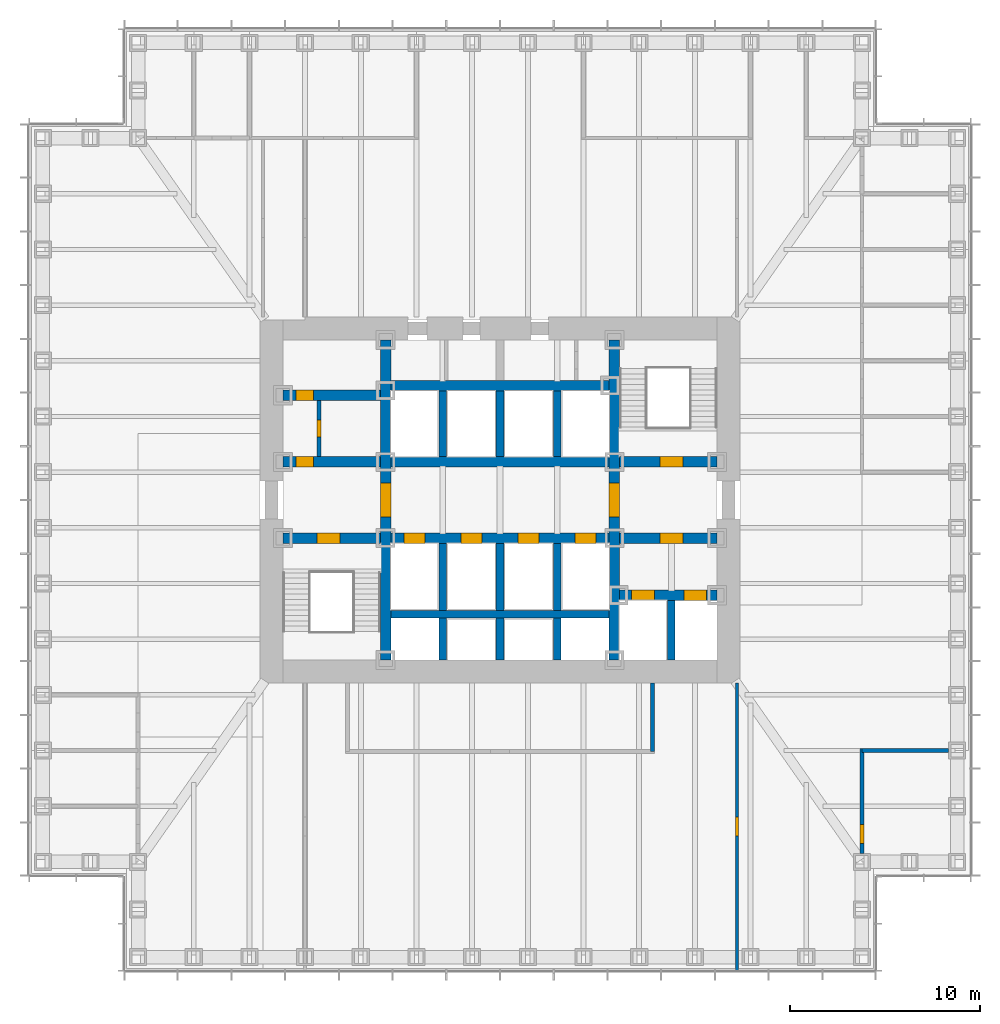
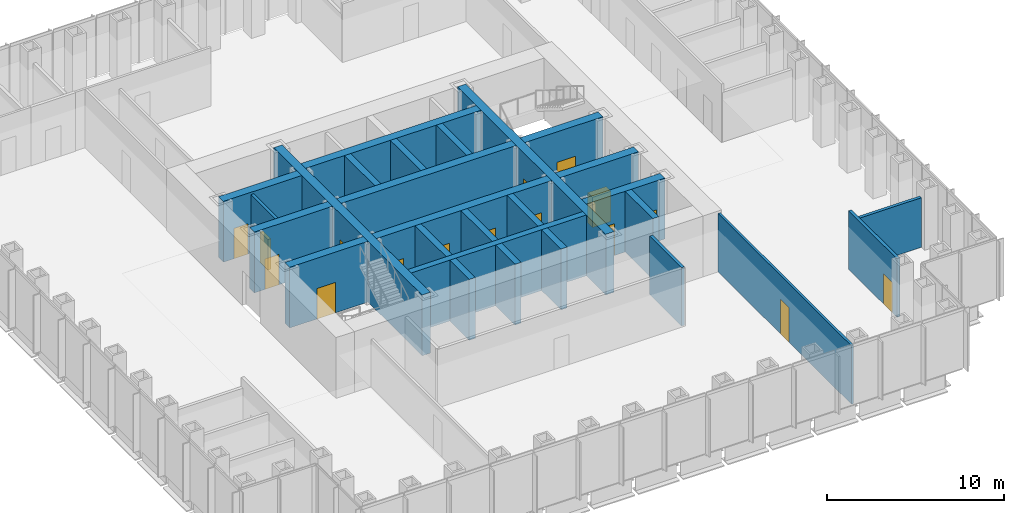
# One storey, part 9 of 17: 27 walls, 16 doors, 16 openings.
"""IFC4 building model written with IfcOpenShell, lengths in metres."""

from ifc_helpers import new_model, si_unit, direction, frame, frame_2d, origin, place, context, subcontext, project, spatial, rectangle, extrude, material, layer, layer_set, type_object, element, fill, save


model = new_model("IFC4")

# Units and contexts
model_context = context("Model", 3, precision=1e-05, world=origin(), true_north=direction((0.0, 1.0)))
body_context = subcontext(model_context, "Body", "Model", "MODEL_VIEW")
ifc_project = project(units=[si_unit("LENGTHUNIT", "METRE"), si_unit("AREAUNIT", "SQUARE_METRE"), si_unit("VOLUMEUNIT", "CUBIC_METRE"), si_unit("PLANEANGLEUNIT", "RADIAN"), si_unit("MASSUNIT", "GRAM", prefix="KILO")], contexts=[model_context])

# Site, building, storey
site_placement = place(None, origin())
site = spatial("IfcSite", under=ifc_project, at=site_placement, CompositionType="ELEMENT")
building_placement = place(site_placement, origin())
building = spatial("IfcBuilding", under=site, at=building_placement, Name="Daluyong Arena Tower", CompositionType="ELEMENT")
storey_placement = place(building_placement, frame((0.0, 0.0, 55.89990234375)))
storey = spatial("IfcBuildingStorey", under=building, at=storey_placement, Name="L11", CompositionType="ELEMENT", Elevation=55.89990234375)

# Wall, opening, door
ifc_material_1 = material(Name="Concrete fc' 45 MPa", Category="concrete")
ifc_layer_1 = layer(ifc_material_1, 0.550048828125)
ifc_layer_set_1 = layer_set([ifc_layer_1], Name="Concrete fc' 45 MPa")
wall_type_1 = type_object("IfcWallType", Name="Core inner wall 550", PredefinedType="SHEAR", material=ifc_layer_set_1)
wall_1_placement = place(storey_placement, frame((50.0, 71.60009765625, 0.0), z_axis=(0.0, 0.0, 1.0), x_axis=(0.0, 1.0, 0.0)))
wall_1 = element("IfcWall", 1, at=wall_1_placement, inside=storey, type_object=wall_type_1, Name="core inner wall at L11", PredefinedType="SHEAR", context=body_context, shape_type="SweptSolid", body=[
    extrude(rectangle(XDim=16.7998046875, YDim=0.550048828125, at=frame_2d((8.39990234375, 0.0))), origin(), (0.0, 0.0, 1.0), 4.2001953125),
])
opening_1_placement = place(wall_1_placement, frame((7.5, 0.0, 0.0)))
opening_1 = element("IfcOpeningElement", 2, at=opening_1_placement, cuts=wall_1, Name="Opening 11012", PredefinedType="OPENING", context=body_context, shape_type="SweptSolid", body=[
    extrude(rectangle(XDim=1.800048828125, YDim=2.39990234375, at=frame_2d((0.89990234375, 1.199951171875))), frame((0.0, 0.284912109375, 0.0), z_axis=(0.0, -1.0, 0.0), x_axis=(1.0, 0.0, 0.0)), (0.0, 0.0, 1.0), 0.570068359375),
])
ifc_material_2 = material(Name="Steel door, fire rated", Category="steel")
door_type_1 = type_object("IfcDoorType", Name="Lift lobby opening door 1800", OperationType="DOUBLE_DOOR_SINGLE_SWING", PredefinedType="DOOR", material=ifc_material_2)
door_1_placement = place(opening_1_placement, origin())
door_1 = element("IfcDoor", 3, at=door_1_placement, inside=storey, type_object=door_type_1, Name="lift lobby door west 11012", OperationType="DOUBLE_DOOR_SINGLE_SWING", OverallHeight=2.39990234375, OverallWidth=1.800048828125, PredefinedType="DOOR", context=body_context, shape_type="SweptSolid", body=[
    extrude(rectangle(XDim=1.800048828125, YDim=2.39990234375, at=frame_2d((0.89990234375, 1.199951171875))), frame((0.0, 0.27490234375, 0.0), z_axis=(0.0, -1.0, 0.0), x_axis=(1.0, 0.0, 0.0)), (0.0, 0.0, 1.0), 0.549560546875),
])
fill(opening_1, door_1)

wall_2_placement = place(storey_placement, frame((62.0, 71.60009765625, 0.0), z_axis=(0.0, 0.0, 1.0), x_axis=(0.0, 1.0, 0.0)))
wall_2 = element("IfcWall", 4, at=wall_2_placement, inside=storey, type_object=wall_type_1, Name="core inner wall at L11", PredefinedType="SHEAR", context=body_context, shape_type="SweptSolid", body=[
    extrude(rectangle(XDim=16.7998046875, YDim=0.550048828125, at=frame_2d((8.39990234375, 0.0))), origin(), (0.0, 0.0, 1.0), 4.2001953125),
])
opening_2_placement = place(wall_2_placement, frame((7.5, 0.0, 0.0)))
opening_2 = element("IfcOpeningElement", 5, at=opening_2_placement, cuts=wall_2, Name="Opening 11013", PredefinedType="OPENING", context=body_context, shape_type="SweptSolid", body=[
    extrude(rectangle(XDim=1.800048828125, YDim=2.39990234375, at=frame_2d((0.89990234375, 1.199951171875))), frame((0.0, 0.284912109375, 0.0), z_axis=(0.0, -1.0, 0.0), x_axis=(1.0, 0.0, 0.0)), (0.0, 0.0, 1.0), 0.570068359375),
])
door_2_placement = place(opening_2_placement, origin())
door_2 = element("IfcDoor", 6, at=door_2_placement, inside=storey, type_object=door_type_1, Name="lift lobby door east 11013", OperationType="DOUBLE_DOOR_SINGLE_SWING", OverallHeight=2.39990234375, OverallWidth=1.800048828125, PredefinedType="DOOR", context=body_context, shape_type="SweptSolid", body=[
    extrude(rectangle(XDim=1.800048828125, YDim=2.39990234375, at=frame_2d((0.89990234375, 1.199951171875))), frame((0.0, 0.27490234375, 0.0), z_axis=(0.0, -1.0, 0.0), x_axis=(1.0, 0.0, 0.0)), (0.0, 0.0, 1.0), 0.549560546875),
])
fill(opening_2, door_2)

wall_3_placement = place(storey_placement, frame((44.60009765625, 78.0, 0.0), z_axis=(0.0, 0.0, 1.0), x_axis=(1.0, 0.0, 0.0)))
wall_3 = element("IfcWall", 7, at=wall_3_placement, inside=storey, type_object=wall_type_1, Name="core inner wall at L11", PredefinedType="SHEAR", context=body_context, shape_type="SweptSolid", body=[
    extrude(rectangle(XDim=5.125, YDim=0.550048828125, at=frame_2d((2.5625, 0.0))), origin(), (0.0, 0.0, 1.0), 4.2001953125),
])
opening_3_placement = place(wall_3_placement, frame((1.800048828125, 0.0, 0.0)))
opening_3 = element("IfcOpeningElement", 8, at=opening_3_placement, cuts=wall_3, Name="Opening 11008", PredefinedType="OPENING", context=body_context, shape_type="SweptSolid", body=[
    extrude(rectangle(XDim=1.199951171875, YDim=2.10009765625, at=frame_2d((0.60009765625, 1.050048828125))), frame((0.0, 0.284912109375, 0.0), z_axis=(0.0, -1.0, 0.0), x_axis=(1.0, 0.0, 0.0)), (0.0, 0.0, 1.0), 0.570068359375),
])
ifc_material_3 = material(Name="Steel door, fire rated", Category="steel")
door_type_2 = type_object("IfcDoorType", Name="Stair door 1200", OperationType="SINGLE_SWING_LEFT", PredefinedType="DOOR", material=ifc_material_3)
door_3_placement = place(opening_3_placement, origin())
door_3 = element("IfcDoor", 9, at=door_3_placement, inside=storey, type_object=door_type_2, Name="stair A door 11008", OperationType="SINGLE_SWING_LEFT", OverallHeight=2.10009765625, OverallWidth=1.199951171875, PredefinedType="DOOR", context=body_context, shape_type="SweptSolid", body=[
    extrude(rectangle(XDim=1.199951171875, YDim=2.10009765625, at=frame_2d((0.60009765625, 1.050048828125))), frame((0.0, 0.27490234375, 0.0), z_axis=(0.0, -1.0, 0.0), x_axis=(1.0, 0.0, 0.0)), (0.0, 0.0, 1.0), 0.549560546875),
])
fill(opening_3, door_3)

wall_4_placement = place(storey_placement, frame((44.60009765625, 82.0, 0.0), z_axis=(0.0, 0.0, 1.0), x_axis=(1.0, 0.0, 0.0)))
wall_4 = element("IfcWall", 10, at=wall_4_placement, inside=storey, type_object=wall_type_1, Name="core inner wall at L11", PredefinedType="SHEAR", context=body_context, shape_type="SweptSolid", body=[
    extrude(rectangle(XDim=5.125, YDim=0.550048828125, at=frame_2d((2.5625, 0.0))), origin(), (0.0, 0.0, 1.0), 4.2001953125),
])
opening_4_placement = place(wall_4_placement, frame((0.699951171875, 0.0, 0.0)))
opening_4 = element("IfcOpeningElement", 11, at=opening_4_placement, cuts=wall_4, Name="Opening 11001", PredefinedType="OPENING", context=body_context, shape_type="SweptSolid", body=[
    extrude(rectangle(XDim=0.89990234375, YDim=2.10009765625, at=frame_2d((0.449951171875, 1.050048828125))), frame((0.0, 0.284912109375, 0.0), z_axis=(0.0, -1.0, 0.0), x_axis=(1.0, 0.0, 0.0)), (0.0, 0.0, 1.0), 0.570068359375),
])
ifc_material_4 = material(Name="Steel door, fire rated", Category="steel")
door_type_3 = type_object("IfcDoorType", Name="Core room door 900", OperationType="SINGLE_SWING_LEFT", PredefinedType="DOOR", material=ifc_material_4)
door_4_placement = place(opening_4_placement, origin())
door_4 = element("IfcDoor", 12, at=door_4_placement, inside=storey, type_object=door_type_3, Name="toilet lobby door 11001", OperationType="SINGLE_SWING_LEFT", OverallHeight=2.10009765625, OverallWidth=0.89990234375, PredefinedType="DOOR", context=body_context, shape_type="SweptSolid", body=[
    extrude(rectangle(XDim=0.89990234375, YDim=2.10009765625, at=frame_2d((0.449951171875, 1.050048828125))), frame((0.0, 0.27490234375, 0.0), z_axis=(0.0, -1.0, 0.0), x_axis=(1.0, 0.0, 0.0)), (0.0, 0.0, 1.0), 0.549560546875),
])
fill(opening_4, door_4)

wall_5_placement = place(storey_placement, frame((44.60009765625, 85.5, 0.0), z_axis=(0.0, 0.0, 1.0), x_axis=(1.0, 0.0, 0.0)))
wall_5 = element("IfcWall", 13, at=wall_5_placement, inside=storey, type_object=wall_type_1, Name="core inner wall at L11", PredefinedType="SHEAR", context=body_context, shape_type="SweptSolid", body=[
    extrude(rectangle(XDim=5.125, YDim=0.550048828125, at=frame_2d((2.5625, 0.0))), origin(), (0.0, 0.0, 1.0), 4.2001953125),
])
opening_5_placement = place(wall_5_placement, frame((0.699951171875, 0.0, 0.0)))
opening_5 = element("IfcOpeningElement", 14, at=opening_5_placement, cuts=wall_5, Name="Opening 11003", PredefinedType="OPENING", context=body_context, shape_type="SweptSolid", body=[
    extrude(rectangle(XDim=0.89990234375, YDim=2.10009765625, at=frame_2d((0.449951171875, 1.050048828125))), frame((0.0, 0.284912109375, 0.0), z_axis=(0.0, -1.0, 0.0), x_axis=(1.0, 0.0, 0.0)), (0.0, 0.0, 1.0), 0.570068359375),
])
ifc_material_5 = material(Name="Timber door", Category="wood")
door_type_4 = type_object("IfcDoorType", Name="Toilet door 900", OperationType="SINGLE_SWING_RIGHT", PredefinedType="DOOR", material=ifc_material_5)
door_5_placement = place(opening_5_placement, origin())
door_5 = element("IfcDoor", 15, at=door_5_placement, inside=storey, type_object=door_type_4, Name="female toilet door 11003", OperationType="SINGLE_SWING_RIGHT", OverallHeight=2.10009765625, OverallWidth=0.89990234375, PredefinedType="DOOR", context=body_context, shape_type="SweptSolid", body=[
    extrude(rectangle(XDim=0.89990234375, YDim=2.10009765625, at=frame_2d((0.449951171875, 1.050048828125))), frame((0.0, 0.27490234375, 0.0), z_axis=(0.0, -1.0, 0.0), x_axis=(1.0, 0.0, 0.0)), (0.0, 0.0, 1.0), 0.549560546875),
])
fill(opening_5, door_5)

# Wall, openings, doors
wall_6_placement = place(storey_placement, frame((62.27490234375, 75.0, 0.0), z_axis=(0.0, 0.0, 1.0), x_axis=(1.0, 0.0, 0.0)))
wall_6 = element("IfcWall", 16, at=wall_6_placement, inside=storey, type_object=wall_type_1, Name="core inner wall at L11", PredefinedType="SHEAR", context=body_context, shape_type="SweptSolid", body=[
    extrude(rectangle(XDim=5.125, YDim=0.550048828125, at=frame_2d((2.5625, 0.0))), origin(), (0.0, 0.0, 1.0), 4.2001953125),
])
opening_6_placement = place(wall_6_placement, frame((0.625, 0.0, 0.0)))
opening_6 = element("IfcOpeningElement", 17, at=opening_6_placement, cuts=wall_6, Name="Opening 11019", PredefinedType="OPENING", context=body_context, shape_type="SweptSolid", body=[
    extrude(rectangle(XDim=1.199951171875, YDim=2.199951171875, at=frame_2d((0.60009765625, 1.10009765625))), frame((0.0, 0.284912109375, 0.0), z_axis=(0.0, -1.0, 0.0), x_axis=(1.0, 0.0, 0.0)), (0.0, 0.0, 1.0), 0.570068359375),
])
opening_7_placement = place(wall_6_placement, frame((3.375, 0.0, 0.0)))
opening_7 = element("IfcOpeningElement", 18, at=opening_7_placement, cuts=wall_6, Name="Opening 11020", PredefinedType="OPENING", context=body_context, shape_type="SweptSolid", body=[
    extrude(rectangle(XDim=1.199951171875, YDim=2.199951171875, at=frame_2d((0.60009765625, 1.10009765625))), frame((0.0, 0.284912109375, 0.0), z_axis=(0.0, -1.0, 0.0), x_axis=(1.0, 0.0, 0.0)), (0.0, 0.0, 1.0), 0.570068359375),
])
ifc_material_6 = material(Name="Steel door, fire rated", Category="steel")
door_type_5 = type_object("IfcDoorType", Name="Firefighting lift landing door 1200", OperationType="SLIDING_TO_LEFT", PredefinedType="DOOR", material=ifc_material_6)
door_6_placement = place(opening_6_placement, origin())
door_6 = element("IfcDoor", 19, at=door_6_placement, inside=storey, type_object=door_type_5, Name="firefighting lift landing door F1 11019", OperationType="SLIDING_TO_LEFT", OverallHeight=2.199951171875, OverallWidth=1.199951171875, PredefinedType="DOOR", context=body_context, shape_type="SweptSolid", body=[
    extrude(rectangle(XDim=1.199951171875, YDim=2.199951171875, at=frame_2d((0.60009765625, 1.10009765625))), frame((0.0, 0.27490234375, 0.0), z_axis=(0.0, -1.0, 0.0), x_axis=(1.0, 0.0, 0.0)), (0.0, 0.0, 1.0), 0.549560546875),
])
fill(opening_6, door_6)
door_7_placement = place(opening_7_placement, origin())
door_7 = element("IfcDoor", 20, at=door_7_placement, inside=storey, type_object=door_type_5, Name="firefighting lift landing door F2 11020", OperationType="SLIDING_TO_LEFT", OverallHeight=2.199951171875, OverallWidth=1.199951171875, PredefinedType="DOOR", context=body_context, shape_type="SweptSolid", body=[
    extrude(rectangle(XDim=1.199951171875, YDim=2.199951171875, at=frame_2d((0.60009765625, 1.10009765625))), frame((0.0, 0.27490234375, 0.0), z_axis=(0.0, -1.0, 0.0), x_axis=(1.0, 0.0, 0.0)), (0.0, 0.0, 1.0), 0.549560546875),
])
fill(opening_7, door_7)

# Wall, opening, door
wall_7_placement = place(storey_placement, frame((62.27490234375, 78.0, 0.0), z_axis=(0.0, 0.0, 1.0), x_axis=(1.0, 0.0, 0.0)))
wall_7 = element("IfcWall", 21, at=wall_7_placement, inside=storey, type_object=wall_type_1, Name="core inner wall at L11", PredefinedType="SHEAR", context=body_context, shape_type="SweptSolid", body=[
    extrude(rectangle(XDim=5.125, YDim=0.550048828125, at=frame_2d((2.5625, 0.0))), origin(), (0.0, 0.0, 1.0), 4.2001953125),
])
opening_8_placement = place(wall_7_placement, frame((2.125, 0.0, 0.0)))
opening_8 = element("IfcOpeningElement", 22, at=opening_8_placement, cuts=wall_7, Name="Opening 11014", PredefinedType="OPENING", context=body_context, shape_type="SweptSolid", body=[
    extrude(rectangle(XDim=1.199951171875, YDim=2.10009765625, at=frame_2d((0.60009765625, 1.050048828125))), frame((0.0, 0.284912109375, 0.0), z_axis=(0.0, -1.0, 0.0), x_axis=(1.0, 0.0, 0.0)), (0.0, 0.0, 1.0), 0.570068359375),
])
ifc_material_7 = material(Name="Steel door, fire rated", Category="steel")
door_type_6 = type_object("IfcDoorType", Name="Firefighting lobby door 1200", OperationType="SINGLE_SWING_RIGHT", PredefinedType="DOOR", material=ifc_material_7)
door_8_placement = place(opening_8_placement, origin())
door_8 = element("IfcDoor", 23, at=door_8_placement, inside=storey, type_object=door_type_6, Name="firefighting lobby door 11014", OperationType="SINGLE_SWING_RIGHT", OverallHeight=2.10009765625, OverallWidth=1.199951171875, PredefinedType="DOOR", context=body_context, shape_type="SweptSolid", body=[
    extrude(rectangle(XDim=1.199951171875, YDim=2.10009765625, at=frame_2d((0.60009765625, 1.050048828125))), frame((0.0, 0.27490234375, 0.0), z_axis=(0.0, -1.0, 0.0), x_axis=(1.0, 0.0, 0.0)), (0.0, 0.0, 1.0), 0.549560546875),
])
fill(opening_8, door_8)

wall_8_placement = place(storey_placement, frame((62.27490234375, 82.0, 0.0), z_axis=(0.0, 0.0, 1.0), x_axis=(1.0, 0.0, 0.0)))
wall_8 = element("IfcWall", 24, at=wall_8_placement, inside=storey, type_object=wall_type_1, Name="core inner wall at L11", PredefinedType="SHEAR", context=body_context, shape_type="SweptSolid", body=[
    extrude(rectangle(XDim=5.125, YDim=0.550048828125, at=frame_2d((2.5625, 0.0))), origin(), (0.0, 0.0, 1.0), 4.2001953125),
])
opening_9_placement = place(wall_8_placement, frame((2.125, 0.0, 0.0)))
opening_9 = element("IfcOpeningElement", 25, at=opening_9_placement, cuts=wall_8, Name="Opening 11009", PredefinedType="OPENING", context=body_context, shape_type="SweptSolid", body=[
    extrude(rectangle(XDim=1.199951171875, YDim=2.10009765625, at=frame_2d((0.60009765625, 1.050048828125))), frame((0.0, 0.284912109375, 0.0), z_axis=(0.0, -1.0, 0.0), x_axis=(1.0, 0.0, 0.0)), (0.0, 0.0, 1.0), 0.570068359375),
])
door_9_placement = place(opening_9_placement, origin())
door_9 = element("IfcDoor", 26, at=door_9_placement, inside=storey, type_object=door_type_2, Name="stair B door 11009", OperationType="SINGLE_SWING_LEFT", OverallHeight=2.10009765625, OverallWidth=1.199951171875, PredefinedType="DOOR", context=body_context, shape_type="SweptSolid", body=[
    extrude(rectangle(XDim=1.199951171875, YDim=2.10009765625, at=frame_2d((0.60009765625, 1.050048828125))), frame((0.0, 0.27490234375, 0.0), z_axis=(0.0, -1.0, 0.0), x_axis=(1.0, 0.0, 0.0)), (0.0, 0.0, 1.0), 0.549560546875),
])
fill(opening_9, door_9)

# Wall, openings, doors
wall_9_placement = place(storey_placement, frame((50.27490234375, 78.0, 0.0), z_axis=(0.0, 0.0, 1.0), x_axis=(1.0, 0.0, 0.0)))
wall_9 = element("IfcWall", 27, at=wall_9_placement, inside=storey, type_object=wall_type_1, Name="core inner wall at L11", PredefinedType="SHEAR", context=body_context, shape_type="SweptSolid", body=[
    extrude(rectangle(XDim=11.4501953125, YDim=0.550048828125, at=frame_2d((5.72509765625, 0.0))), origin(), (0.0, 0.0, 1.0), 4.2001953125),
])
opening_10_placement = place(wall_9_placement, frame((0.675048828125, 0.0, 0.0)))
opening_10 = element("IfcOpeningElement", 28, at=opening_10_placement, cuts=wall_9, Name="Opening 11015", PredefinedType="OPENING", context=body_context, shape_type="SweptSolid", body=[
    extrude(rectangle(XDim=1.10009765625, YDim=2.199951171875, at=frame_2d((0.550048828125, 1.10009765625))), frame((0.0, 0.284912109375, 0.0), z_axis=(0.0, -1.0, 0.0), x_axis=(1.0, 0.0, 0.0)), (0.0, 0.0, 1.0), 0.570068359375),
])
opening_11_placement = place(wall_9_placement, frame((3.675048828125, 0.0, 0.0)))
opening_11 = element("IfcOpeningElement", 29, at=opening_11_placement, cuts=wall_9, Name="Opening 11016", PredefinedType="OPENING", context=body_context, shape_type="SweptSolid", body=[
    extrude(rectangle(XDim=1.10009765625, YDim=2.199951171875, at=frame_2d((0.550048828125, 1.10009765625))), frame((0.0, 0.284912109375, 0.0), z_axis=(0.0, -1.0, 0.0), x_axis=(1.0, 0.0, 0.0)), (0.0, 0.0, 1.0), 0.570068359375),
])
opening_12_placement = place(wall_9_placement, frame((6.675048828125, 0.0, 0.0)))
opening_12 = element("IfcOpeningElement", 30, at=opening_12_placement, cuts=wall_9, Name="Opening 11017", PredefinedType="OPENING", context=body_context, shape_type="SweptSolid", body=[
    extrude(rectangle(XDim=1.10009765625, YDim=2.199951171875, at=frame_2d((0.550048828125, 1.10009765625))), frame((0.0, 0.284912109375, 0.0), z_axis=(0.0, -1.0, 0.0), x_axis=(1.0, 0.0, 0.0)), (0.0, 0.0, 1.0), 0.570068359375),
])
opening_13_placement = place(wall_9_placement, frame((9.675048828125, 0.0, 0.0)))
opening_13 = element("IfcOpeningElement", 31, at=opening_13_placement, cuts=wall_9, Name="Opening 11018", PredefinedType="OPENING", context=body_context, shape_type="SweptSolid", body=[
    extrude(rectangle(XDim=1.10009765625, YDim=2.199951171875, at=frame_2d((0.550048828125, 1.10009765625))), frame((0.0, 0.284912109375, 0.0), z_axis=(0.0, -1.0, 0.0), x_axis=(1.0, 0.0, 0.0)), (0.0, 0.0, 1.0), 0.570068359375),
])
ifc_material_8 = material(Name="Steel door, fire rated", Category="steel")
door_type_7 = type_object("IfcDoorType", Name="Lift landing door 1100", OperationType="SLIDING_TO_LEFT", PredefinedType="DOOR", material=ifc_material_8)
door_10_placement = place(opening_10_placement, origin())
door_10 = element("IfcDoor", 32, at=door_10_placement, inside=storey, type_object=door_type_7, Name="lift landing door A1 11015", OperationType="SLIDING_TO_LEFT", OverallHeight=2.199951171875, OverallWidth=1.10009765625, PredefinedType="DOOR", context=body_context, shape_type="SweptSolid", body=[
    extrude(rectangle(XDim=1.10009765625, YDim=2.199951171875, at=frame_2d((0.550048828125, 1.10009765625))), frame((0.0, 0.27490234375, 0.0), z_axis=(0.0, -1.0, 0.0), x_axis=(1.0, 0.0, 0.0)), (0.0, 0.0, 1.0), 0.549560546875),
])
fill(opening_10, door_10)
door_11_placement = place(opening_11_placement, origin())
door_11 = element("IfcDoor", 33, at=door_11_placement, inside=storey, type_object=door_type_7, Name="lift landing door A2 11016", OperationType="SLIDING_TO_LEFT", OverallHeight=2.199951171875, OverallWidth=1.10009765625, PredefinedType="DOOR", context=body_context, shape_type="SweptSolid", body=[
    extrude(rectangle(XDim=1.10009765625, YDim=2.199951171875, at=frame_2d((0.550048828125, 1.10009765625))), frame((0.0, 0.27490234375, 0.0), z_axis=(0.0, -1.0, 0.0), x_axis=(1.0, 0.0, 0.0)), (0.0, 0.0, 1.0), 0.549560546875),
])
fill(opening_11, door_11)
door_12_placement = place(opening_12_placement, origin())
door_12 = element("IfcDoor", 34, at=door_12_placement, inside=storey, type_object=door_type_7, Name="lift landing door A3 11017", OperationType="SLIDING_TO_LEFT", OverallHeight=2.199951171875, OverallWidth=1.10009765625, PredefinedType="DOOR", context=body_context, shape_type="SweptSolid", body=[
    extrude(rectangle(XDim=1.10009765625, YDim=2.199951171875, at=frame_2d((0.550048828125, 1.10009765625))), frame((0.0, 0.27490234375, 0.0), z_axis=(0.0, -1.0, 0.0), x_axis=(1.0, 0.0, 0.0)), (0.0, 0.0, 1.0), 0.549560546875),
])
fill(opening_12, door_12)
door_13_placement = place(opening_13_placement, origin())
door_13 = element("IfcDoor", 35, at=door_13_placement, inside=storey, type_object=door_type_7, Name="lift landing door A4 11018", OperationType="SLIDING_TO_LEFT", OverallHeight=2.199951171875, OverallWidth=1.10009765625, PredefinedType="DOOR", context=body_context, shape_type="SweptSolid", body=[
    extrude(rectangle(XDim=1.10009765625, YDim=2.199951171875, at=frame_2d((0.550048828125, 1.10009765625))), frame((0.0, 0.27490234375, 0.0), z_axis=(0.0, -1.0, 0.0), x_axis=(1.0, 0.0, 0.0)), (0.0, 0.0, 1.0), 0.549560546875),
])
fill(opening_13, door_13)

# Walls
for number, where, z_axis, x_axis, name in (
    (36, (50.27490234375, 82.0, 0.0), (0.0, 0.0, 1.0), (1.0, 0.0, 0.0), "core inner wall at L11"),
    (37, (50.27490234375, 86.0, 0.0), (0.0, 0.0, 1.0), (1.0, 0.0, 0.0), "core inner wall at L11"),
):
    element("IfcWall", number, at=place(storey_placement, frame(where, z_axis=z_axis, x_axis=x_axis)), inside=storey, type_object=wall_type_1, Name=name, PredefinedType="SHEAR", context=body_context, shape_type="SweptSolid", body=[
        extrude(rectangle(XDim=11.4501953125, YDim=0.550048828125, at=frame_2d((5.72509765625, 0.0))), origin(), (0.0, 0.0, 1.0), 4.2001953125),
    ])

# Wall, opening, door
ifc_material_9 = material(Name="Concrete block partition, fire rated", Category="concrete")
ifc_layer_2 = layer(ifc_material_9, 0.199951171875)
ifc_layer_set_2 = layer_set([ifc_layer_2], Name="Concrete block partition, fire rated")
wall_type_2 = type_object("IfcWallType", Name="Fire-rated partition 200", PredefinedType="PARTITIONING", material=ifc_layer_set_2)
wall_10_placement = place(storey_placement, frame((46.5, 82.27490234375, 0.0), z_axis=(0.0, 0.0, 1.0), x_axis=(0.0, 1.0, 0.0)))
wall_10 = element("IfcWall", 38, at=wall_10_placement, inside=storey, type_object=wall_type_2, Name="toilet lobby partition at L11", PredefinedType="PARTITIONING", context=body_context, shape_type="SweptSolid", body=[
    extrude(rectangle(XDim=2.9501953125, YDim=0.199951171875, at=frame_2d((1.47509765625, 0.0))), origin(), (0.0, 0.0, 1.0), 4.0400390625),
])
opening_14_placement = place(wall_10_placement, frame((1.02490234375, 0.0, 0.0)))
opening_14 = element("IfcOpeningElement", 39, at=opening_14_placement, cuts=wall_10, Name="Opening 11002", PredefinedType="OPENING", context=body_context, shape_type="SweptSolid", body=[
    extrude(rectangle(XDim=0.89990234375, YDim=2.10009765625, at=frame_2d((0.449951171875, 1.050048828125))), frame((0.0, 0.10986328125, 0.0), z_axis=(0.0, -1.0, 0.0), x_axis=(1.0, 0.0, 0.0)), (0.0, 0.0, 1.0), 0.219970703125),
])
door_14_placement = place(opening_14_placement, origin())
door_14 = element("IfcDoor", 40, at=door_14_placement, inside=storey, type_object=door_type_4, Name="male toilet door 11002", OperationType="SINGLE_SWING_RIGHT", OverallHeight=2.10009765625, OverallWidth=0.89990234375, PredefinedType="DOOR", context=body_context, shape_type="SweptSolid", body=[
    extrude(rectangle(XDim=0.89990234375, YDim=2.10009765625, at=frame_2d((0.449951171875, 1.050048828125))), frame((0.0, 0.099609375, 0.0), z_axis=(0.0, -1.0, 0.0), x_axis=(1.0, 0.0, 0.0)), (0.0, 0.0, 1.0), 0.199462890625),
])
fill(opening_14, door_14)

ifc_material_10 = material(Name="Glazed aluminium partition", Category="aluminium")
ifc_layer_3 = layer(ifc_material_10, 0.14990234375)
ifc_layer_set_3 = layer_set([ifc_layer_3], Name="Glazed aluminium partition")
wall_type_3 = type_object("IfcWallType", Name="Glazed partition 150", PredefinedType="PARTITIONING", material=ifc_layer_set_3)
wall_11_placement = place(storey_placement, frame((68.449951171875, 55.31005859375, 0.0), z_axis=(0.0, 0.0, 1.0), x_axis=(0.0, 1.0, 0.0)))
wall_11 = element("IfcWall", 41, at=wall_11_placement, inside=storey, type_object=wall_type_3, Name="glazed partition at L11", PredefinedType="PARTITIONING", context=body_context, shape_type="SweptSolid", body=[
    extrude(rectangle(XDim=15.08984375, YDim=0.14990234375, at=frame_2d((7.544921875, 0.0))), origin(), (0.0, 0.0, 1.0), 4.0400390625),
])
opening_15_placement = place(wall_11_placement, frame((7.044921875, 0.0, 0.0)))
opening_15 = element("IfcOpeningElement", 42, at=opening_15_placement, cuts=wall_11, Name="Opening 11037", PredefinedType="OPENING", context=body_context, shape_type="SweptSolid", body=[
    extrude(rectangle(XDim=1.0, YDim=2.39990234375, at=frame_2d((0.5, 1.199951171875))), frame((0.0, 0.0849609375, 0.0), z_axis=(0.0, -1.0, 0.0), x_axis=(1.0, 0.0, 0.0)), (0.0, 0.0, 1.0), 0.169921875),
])
ifc_material_11 = material(Name="Glazed aluminium door", Category="aluminium")
door_type_8 = type_object("IfcDoorType", Name="Meeting room glazed door 1000", OperationType="SINGLE_SWING_RIGHT", PredefinedType="DOOR", material=ifc_material_11)
door_15_placement = place(opening_15_placement, origin())
door_15 = element("IfcDoor", 43, at=door_15_placement, inside=storey, type_object=door_type_8, Name="team area screen door 11037", OperationType="SINGLE_SWING_RIGHT", OverallHeight=2.39990234375, OverallWidth=1.0, PredefinedType="DOOR", context=body_context, shape_type="SweptSolid", body=[
    extrude(rectangle(XDim=1.0, YDim=2.39990234375, at=frame_2d((0.5, 1.199951171875))), frame((0.0, 0.07470703125, 0.0), z_axis=(0.0, -1.0, 0.0), x_axis=(1.0, 0.0, 0.0)), (0.0, 0.0, 1.0), 0.1494140625),
])
fill(opening_15, door_15)

# Walls
ifc_material_12 = material(Name="Concrete fc' 45 MPa", Category="concrete")
ifc_layer_4 = layer(ifc_material_12, 0.39990234375)
ifc_layer_set_4 = layer_set([ifc_layer_4], Name="Concrete fc' 45 MPa")
wall_type_4 = type_object("IfcWallType", Name="Lift shaft wall 400", PredefinedType="SHEAR", material=ifc_layer_set_4)
wall_12_placement = place(storey_placement, frame((50.27490234375, 74.0, 0.0), z_axis=(0.0, 0.0, 1.0), x_axis=(1.0, 0.0, 0.0)))
element("IfcWall", 44, at=wall_12_placement, inside=storey, type_object=wall_type_4, Name="lift shaft wall at L11", PredefinedType="SHEAR", context=body_context, shape_type="SweptSolid", body=[
    extrude(rectangle(XDim=11.4501953125, YDim=0.39990234375, at=frame_2d((5.72509765625, 0.0))), origin(), (0.0, 0.0, 1.0), 4.2001953125),
])
wall_13_placement = place(storey_placement, frame((53.0, 71.60009765625, 0.0), z_axis=(0.0, 0.0, 1.0), x_axis=(0.0, 1.0, 0.0)))
element("IfcWall", 45, at=wall_13_placement, inside=storey, type_object=wall_type_4, Name="lift shaft wall at L11", PredefinedType="SHEAR", context=body_context, shape_type="SweptSolid", body=[
    extrude(rectangle(XDim=2.199951171875, YDim=0.39990234375, at=frame_2d((1.10009765625, 0.0))), origin(), (0.0, 0.0, 1.0), 4.2001953125),
])
wall_14_placement = place(storey_placement, frame((53.0, 74.199951171875, 0.0), z_axis=(0.0, 0.0, 1.0), x_axis=(0.0, 1.0, 0.0)))
element("IfcWall", 46, at=wall_14_placement, inside=storey, type_object=wall_type_4, Name="lift shaft wall at L11", PredefinedType="SHEAR", context=body_context, shape_type="SweptSolid", body=[
    extrude(rectangle(XDim=3.525146484375, YDim=0.39990234375, at=frame_2d((1.7626953125, 0.0))), origin(), (0.0, 0.0, 1.0), 4.2001953125),
])
wall_15_placement = place(storey_placement, frame((53.0, 82.27490234375, 0.0), z_axis=(0.0, 0.0, 1.0), x_axis=(0.0, 1.0, 0.0)))
element("IfcWall", 47, at=wall_15_placement, inside=storey, type_object=wall_type_4, Name="lift shaft wall at L11", PredefinedType="SHEAR", context=body_context, shape_type="SweptSolid", body=[
    extrude(rectangle(XDim=3.4501953125, YDim=0.39990234375, at=frame_2d((1.72509765625, 0.0))), origin(), (0.0, 0.0, 1.0), 4.2001953125),
])
wall_16_placement = place(storey_placement, frame((56.0, 71.60009765625, 0.0), z_axis=(0.0, 0.0, 1.0), x_axis=(0.0, 1.0, 0.0)))
element("IfcWall", 48, at=wall_16_placement, inside=storey, type_object=wall_type_4, Name="lift shaft wall at L11", PredefinedType="SHEAR", context=body_context, shape_type="SweptSolid", body=[
    extrude(rectangle(XDim=2.199951171875, YDim=0.39990234375, at=frame_2d((1.10009765625, 0.0))), origin(), (0.0, 0.0, 1.0), 4.2001953125),
])
wall_17_placement = place(storey_placement, frame((56.0, 74.199951171875, 0.0), z_axis=(0.0, 0.0, 1.0), x_axis=(0.0, 1.0, 0.0)))
element("IfcWall", 49, at=wall_17_placement, inside=storey, type_object=wall_type_4, Name="lift shaft wall at L11", PredefinedType="SHEAR", context=body_context, shape_type="SweptSolid", body=[
    extrude(rectangle(XDim=3.525146484375, YDim=0.39990234375, at=frame_2d((1.7626953125, 0.0))), origin(), (0.0, 0.0, 1.0), 4.2001953125),
])
wall_18_placement = place(storey_placement, frame((56.0, 82.27490234375, 0.0), z_axis=(0.0, 0.0, 1.0), x_axis=(0.0, 1.0, 0.0)))
element("IfcWall", 50, at=wall_18_placement, inside=storey, type_object=wall_type_4, Name="lift shaft wall at L11", PredefinedType="SHEAR", context=body_context, shape_type="SweptSolid", body=[
    extrude(rectangle(XDim=3.4501953125, YDim=0.39990234375, at=frame_2d((1.72509765625, 0.0))), origin(), (0.0, 0.0, 1.0), 4.2001953125),
])
wall_19_placement = place(storey_placement, frame((59.0, 71.60009765625, 0.0), z_axis=(0.0, 0.0, 1.0), x_axis=(0.0, 1.0, 0.0)))
element("IfcWall", 51, at=wall_19_placement, inside=storey, type_object=wall_type_4, Name="lift shaft wall at L11", PredefinedType="SHEAR", context=body_context, shape_type="SweptSolid", body=[
    extrude(rectangle(XDim=2.199951171875, YDim=0.39990234375, at=frame_2d((1.10009765625, 0.0))), origin(), (0.0, 0.0, 1.0), 4.2001953125),
])
wall_20_placement = place(storey_placement, frame((59.0, 74.199951171875, 0.0), z_axis=(0.0, 0.0, 1.0), x_axis=(0.0, 1.0, 0.0)))
element("IfcWall", 52, at=wall_20_placement, inside=storey, type_object=wall_type_4, Name="lift shaft wall at L11", PredefinedType="SHEAR", context=body_context, shape_type="SweptSolid", body=[
    extrude(rectangle(XDim=3.525146484375, YDim=0.39990234375, at=frame_2d((1.7626953125, 0.0))), origin(), (0.0, 0.0, 1.0), 4.2001953125),
])
wall_21_placement = place(storey_placement, frame((59.0, 82.27490234375, 0.0), z_axis=(0.0, 0.0, 1.0), x_axis=(0.0, 1.0, 0.0)))
element("IfcWall", 53, at=wall_21_placement, inside=storey, type_object=wall_type_4, Name="lift shaft wall at L11", PredefinedType="SHEAR", context=body_context, shape_type="SweptSolid", body=[
    extrude(rectangle(XDim=3.4501953125, YDim=0.39990234375, at=frame_2d((1.72509765625, 0.0))), origin(), (0.0, 0.0, 1.0), 4.2001953125),
])
wall_22_placement = place(storey_placement, frame((65.0, 71.60009765625, 0.0), z_axis=(0.0, 0.0, 1.0), x_axis=(0.0, 1.0, 0.0)))
element("IfcWall", 54, at=wall_22_placement, inside=storey, type_object=wall_type_4, Name="lift shaft wall at L11", PredefinedType="SHEAR", context=body_context, shape_type="SweptSolid", body=[
    extrude(rectangle(XDim=3.125, YDim=0.39990234375, at=frame_2d((1.5625, 0.0))), origin(), (0.0, 0.0, 1.0), 4.2001953125),
])
ifc_material_13 = material(Name="Concrete block partition", Category="concrete")
ifc_layer_5 = layer(ifc_material_13, 0.199951171875)
ifc_layer_set_5 = layer_set([ifc_layer_5], Name="Concrete block partition")
wall_type_5 = type_object("IfcWallType", Name="Partition 200", PredefinedType="PARTITIONING", material=ifc_layer_set_5)
wall_23_placement = place(storey_placement, frame((75.0, 66.84619140625, 0.0), z_axis=(0.0, 0.0, 1.0), x_axis=(1.0, 0.0, 0.0)))
element("IfcWall", 55, at=wall_23_placement, inside=storey, type_object=wall_type_5, Name="partition at L11", PredefinedType="PARTITIONING", context=body_context, shape_type="SweptSolid", body=[
    extrude(rectangle(XDim=4.550048828125, YDim=0.199951171875, at=frame_2d((2.27490234375, 0.0))), origin(), (0.0, 0.0, 1.0), 3.427978515625),
])
wall_24_placement = place(storey_placement, frame((64.0, 66.800048828125, 0.0), z_axis=(0.0, 0.0, 1.0), x_axis=(0.0, 1.0, 0.0)))
element("IfcWall", 56, at=wall_24_placement, inside=storey, type_object=wall_type_5, Name="partition at L11", PredefinedType="PARTITIONING", context=body_context, shape_type="SweptSolid", body=[
    extrude(rectangle(XDim=3.599853515625, YDim=0.199951171875, at=frame_2d((1.7998046875, 0.0))), origin(), (0.0, 0.0, 1.0), 4.0400390625),
])

# Wall, opening, door
wall_25_placement = place(storey_placement, frame((75.0, 61.449951171875, 0.0), z_axis=(0.0, 0.0, 1.0), x_axis=(0.0, 1.0, 0.0)))
wall_25 = element("IfcWall", 57, at=wall_25_placement, inside=storey, type_object=wall_type_5, Name="partition at L11", PredefinedType="PARTITIONING", context=body_context, shape_type="SweptSolid", body=[
    extrude(rectangle(XDim=5.49609375, YDim=0.199951171875, at=frame_2d((2.748046875, 0.0))), origin(), (0.0, 0.0, 1.0), 4.0400390625),
])
opening_16_placement = place(wall_25_placement, frame((0.511474609375, 0.0, 0.0)))
opening_16 = element("IfcOpeningElement", 58, at=opening_16_placement, cuts=wall_25, Name="Opening 11021", PredefinedType="OPENING", context=body_context, shape_type="SweptSolid", body=[
    extrude(rectangle(XDim=1.0, YDim=2.10009765625, at=frame_2d((0.5, 1.050048828125))), frame((0.0, 0.10986328125, 0.0), z_axis=(0.0, -1.0, 0.0), x_axis=(1.0, 0.0, 0.0)), (0.0, 0.0, 1.0), 0.219970703125),
])
ifc_material_14 = material(Name="Timber door", Category="wood")
door_type_9 = type_object("IfcDoorType", Name="Room door 1000", OperationType="SINGLE_SWING_LEFT", PredefinedType="DOOR", material=ifc_material_14)
door_16_placement = place(opening_16_placement, origin())
door_16 = element("IfcDoor", 59, at=door_16_placement, inside=storey, type_object=door_type_9, Name="pantry door 11021", OperationType="SINGLE_SWING_LEFT", OverallHeight=2.10009765625, OverallWidth=1.0, PredefinedType="DOOR", context=body_context, shape_type="SweptSolid", body=[
    extrude(rectangle(XDim=1.0, YDim=2.10009765625, at=frame_2d((0.5, 1.050048828125))), frame((0.0, 0.099609375, 0.0), z_axis=(0.0, -1.0, 0.0), x_axis=(1.0, 0.0, 0.0)), (0.0, 0.0, 1.0), 0.199462890625),
])
fill(opening_16, door_16)

save(model, "model.ifc")
